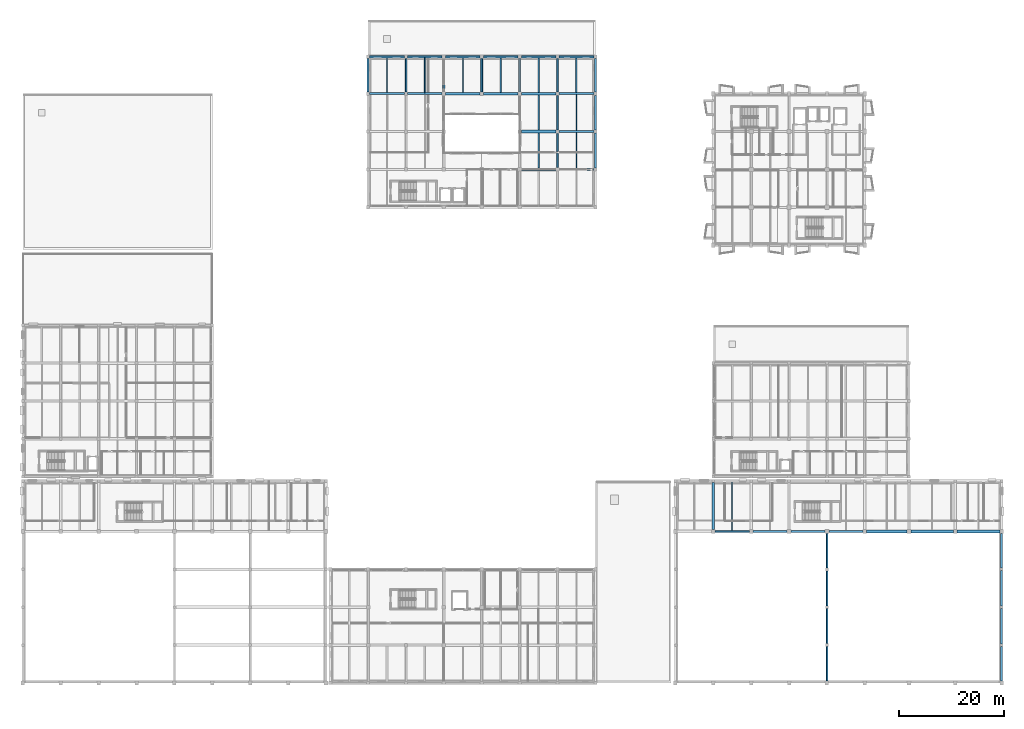
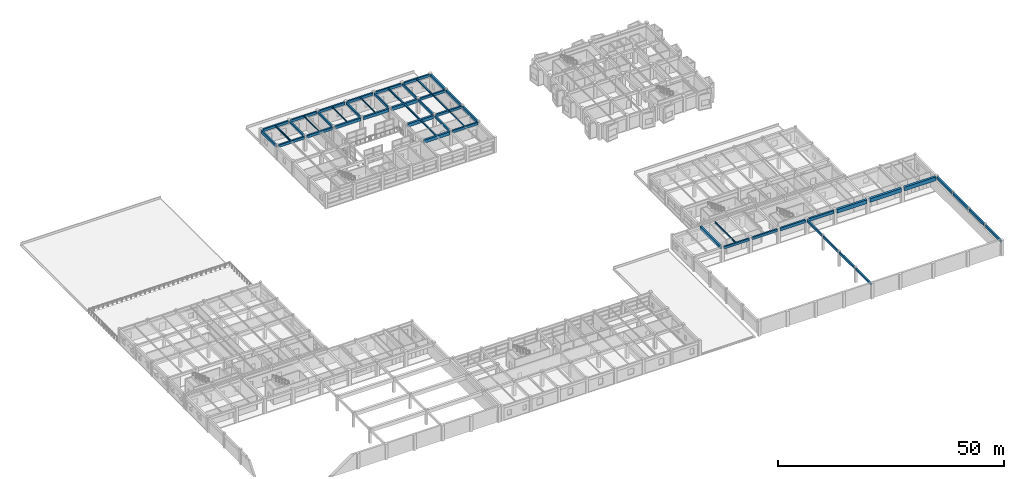
# One storey, part 31 of 67: 54 beams.
"""IFC4 building model written with IfcOpenShell, lengths in metres."""

from ifc_helpers import new_model, si_unit, direction, frame, origin, origin_2d, place, context, subcontext, project, spatial, rectangle, i_section, extrude, material, material_profile, profile_set, type_object, element, save


model = new_model("IFC4")

# Units and contexts
model_context = context("Model", 3, precision=1e-05, world=origin(), true_north=direction((0.0, 1.0)))
body_context = subcontext(model_context, "Body", "Model", "MODEL_VIEW")
ifc_project = project(units=[si_unit("LENGTHUNIT", "METRE"), si_unit("AREAUNIT", "SQUARE_METRE"), si_unit("VOLUMEUNIT", "CUBIC_METRE"), si_unit("PLANEANGLEUNIT", "RADIAN"), si_unit("MASSUNIT", "GRAM", prefix="KILO")], contexts=[model_context])

# Site, building, storey
site_placement = place(None, origin())
site = spatial("IfcSite", under=ifc_project, at=site_placement, CompositionType="ELEMENT")
building_placement = place(site_placement, origin())
building = spatial("IfcBuilding", under=site, at=building_placement, Name="Bramveld Media Centre", CompositionType="ELEMENT")
storey_placement = place(building_placement, frame((0.0, 0.0, 5.39990234375)))
storey = spatial("IfcBuildingStorey", under=building, at=storey_placement, Name="L01", CompositionType="ELEMENT", Elevation=5.39990234375)

# Beams
ifc_material_1 = material(Name="Concrete C40/50", Category="concrete")
ifc_material_profile_1 = material_profile(ifc_material_1, rectangle(XDim=0.35009765625, YDim=0.60009765625, at=origin_2d()), Name="RC 350x600")
ifc_profile_set_1 = profile_set([ifc_material_profile_1], Name="Concrete C40/50")
beam_type_1 = type_object("IfcBeamType", Name="BM-INT-RC-350x600", PredefinedType="BEAM", material=ifc_profile_set_1)
beam_1_placement = place(storey_placement, frame((152.800048828125, 0.340087890625, 3.650146484375), z_axis=(0.0, 1.0, 0.0), x_axis=(-1.0, 0.0, 0.0)))
element("IfcBeam", 1, at=beam_1_placement, inside=storey, type_object=beam_type_1, Name="V1 L01 girder Y-68", PredefinedType="BEAM", context=body_context, shape_type="SweptSolid", body=[
    extrude(rectangle(XDim=0.35009765625, YDim=0.60009765625, at=origin_2d()), origin(), (0.0, 0.0, 1.0), 6.5849609375),
])
for number, where, z_axis, x_axis, name in (
    (2, (152.800048828125, 7.47509765625, 3.650146484375), (0.0, 1.0, 0.0), (-1.0, 0.0, 0.0), "V1 L01 girder Y-69"),
    (3, (152.800048828125, 14.675048828125, 3.650146484375), (0.0, 1.0, 0.0), (-1.0, 0.0, 0.0), "V1 L01 girder Y-70"),
):
    element("IfcBeam", number, at=place(storey_placement, frame(where, z_axis=z_axis, x_axis=x_axis)), inside=storey, type_object=beam_type_1, Name=name, PredefinedType="BEAM", context=body_context, shape_type="SweptSolid", body=[
        extrude(rectangle(XDim=0.35009765625, YDim=0.60009765625, at=origin_2d()), origin(), (0.0, 0.0, 1.0), 6.64990234375),
    ])
beam_2_placement = place(storey_placement, frame((152.800048828125, 21.875, 3.650146484375), z_axis=(0.0, 1.0, 0.0), x_axis=(-1.0, 0.0, 0.0)))
element("IfcBeam", 4, at=beam_2_placement, inside=storey, type_object=beam_type_1, Name="V1 L01 girder Y-71", PredefinedType="BEAM", context=body_context, shape_type="SweptSolid", body=[
    extrude(rectangle(XDim=0.35009765625, YDim=0.60009765625, at=origin_2d()), origin(), (0.0, 0.0, 1.0), 6.574951171875),
])
for number, where, z_axis, x_axis, name in (
    (5, (72.800048828125, 112.324951171875, 3.6201171875), (0.0, 1.0, 0.0), (-1.0, 0.0, 0.0), "V6 L01 girder Y-1028"),
    (6, (80.0, 112.324951171875, 3.6201171875), (0.0, 1.0, 0.0), (-1.0, 0.0, 0.0), "V6 L01 girder Y-1031"),
    (7, (87.199951171875, 112.324951171875, 3.6201171875), (0.0, 1.0, 0.0), (-1.0, 0.0, 0.0), "V6 L01 girder Y-1033"),
    (8, (94.39990234375, 112.324951171875, 3.6201171875), (0.0, 1.0, 0.0), (-1.0, 0.0, 0.0), "V6 L01 girder Y-1037"),
):
    element("IfcBeam", number, at=place(storey_placement, frame(where, z_axis=z_axis, x_axis=x_axis)), inside=storey, type_object=beam_type_1, Name=name, PredefinedType="BEAM", context=body_context, shape_type="SweptSolid", body=[
        extrude(rectangle(XDim=0.35009765625, YDim=0.60009765625, at=origin_2d()), origin(), (0.0, 0.0, 1.0), 6.364990234375),
    ])
for number, where, z_axis, x_axis, name in (
    (9, (101.60009765625, 97.925048828125, 3.6201171875), (0.0, 1.0, 0.0), (-1.0, 0.0, 0.0), "V6 L01 girder Y-1039"),
    (10, (101.60009765625, 105.125, 3.6201171875), (0.0, 1.0, 0.0), (-1.0, 0.0, 0.0), "V6 L01 girder Y-1040"),
):
    element("IfcBeam", number, at=place(storey_placement, frame(where, z_axis=z_axis, x_axis=x_axis)), inside=storey, type_object=beam_type_1, Name=name, PredefinedType="BEAM", context=body_context, shape_type="SweptSolid", body=[
        extrude(rectangle(XDim=0.35009765625, YDim=0.60009765625, at=origin_2d()), origin(), (0.0, 0.0, 1.0), 6.550048828125),
    ])
beam_3_placement = place(storey_placement, frame((101.60009765625, 112.324951171875, 3.6201171875), z_axis=(0.0, 1.0, 0.0), x_axis=(-1.0, 0.0, 0.0)))
element("IfcBeam", 11, at=beam_3_placement, inside=storey, type_object=beam_type_1, Name="V6 L01 girder Y-1041", PredefinedType="BEAM", context=body_context, shape_type="SweptSolid", body=[
    extrude(rectangle(XDim=0.35009765625, YDim=0.60009765625, at=origin_2d()), origin(), (0.0, 0.0, 1.0), 6.364990234375),
])
ifc_material_2 = material(Name="Concrete C40/50", Category="concrete")
ifc_material_profile_2 = material_profile(ifc_material_2, rectangle(XDim=0.35009765625, YDim=0.64990234375, at=origin_2d()), Name="RC 350x650")
ifc_profile_set_2 = profile_set([ifc_material_profile_2], Name="Concrete C40/50")
beam_type_2 = type_object("IfcBeamType", Name="BM-INT-RC-350x650", PredefinedType="BEAM", material=ifc_profile_set_2)
beam_4_placement = place(storey_placement, frame((131.550048828125, 28.800048828125, 3.614990234375), z_axis=(1.0, 0.0, 0.0), x_axis=(0.0, 1.0, 0.0)))
element("IfcBeam", 12, at=beam_4_placement, inside=storey, type_object=beam_type_2, Name="V1 L01 girder X-45", PredefinedType="BEAM", context=body_context, shape_type="SweptSolid", body=[
    extrude(rectangle(XDim=0.35009765625, YDim=0.64990234375, at=origin_2d()), origin(), (0.0, 0.0, 1.0), 6.5),
])
ifc_material_3 = material(Name="Concrete C40/50", Category="concrete")
ifc_material_profile_3 = material_profile(ifc_material_3, rectangle(XDim=0.39990234375, YDim=0.64990234375, at=origin_2d()), Name="RC 400x650")
ifc_profile_set_3 = profile_set([ifc_material_profile_3], Name="Concrete C40/50")
beam_type_3 = type_object("IfcBeamType", Name="BM-INT-RC-400x650", PredefinedType="BEAM", material=ifc_profile_set_3)
beam_5_placement = place(storey_placement, frame((138.75, 28.800048828125, 3.614990234375), z_axis=(1.0, 0.0, 0.0), x_axis=(0.0, 1.0, 0.0)))
element("IfcBeam", 13, at=beam_5_placement, inside=storey, type_object=beam_type_3, Name="V1 L01 girder X-46", PredefinedType="BEAM", context=body_context, shape_type="SweptSolid", body=[
    extrude(rectangle(XDim=0.39990234375, YDim=0.64990234375, at=origin_2d()), origin(), (0.0, 0.0, 1.0), 6.5),
])
for number, where, z_axis, x_axis, name in (
    (14, (101.925048828125, 97.60009765625, 3.59521484375), (1.0, 0.0, 0.0), (0.0, 1.0, 0.0), "V6 L01 girder X-1005"),
    (15, (101.925048828125, 104.800048828125, 3.59521484375), (1.0, 0.0, 0.0), (0.0, 1.0, 0.0), "V6 L01 girder X-1009"),
):
    element("IfcBeam", number, at=place(storey_placement, frame(where, z_axis=z_axis, x_axis=x_axis)), inside=storey, type_object=beam_type_3, Name=name, PredefinedType="BEAM", context=body_context, shape_type="SweptSolid", body=[
        extrude(rectangle(XDim=0.39990234375, YDim=0.64990234375, at=origin_2d()), origin(), (0.0, 0.0, 1.0), 6.56494140625),
    ])
beam_6_placement = place(storey_placement, frame((65.909912109375, 112.0, 3.59521484375), z_axis=(1.0, 0.0, 0.0), x_axis=(0.0, 1.0, 0.0)))
element("IfcBeam", 16, at=beam_6_placement, inside=storey, type_object=beam_type_3, Name="V6 L01 girder X-1010", PredefinedType="BEAM", context=body_context, shape_type="SweptSolid", body=[
    extrude(rectangle(XDim=0.39990234375, YDim=0.64990234375, at=origin_2d()), origin(), (0.0, 0.0, 1.0), 6.565185546875),
])
beam_7_placement = place(storey_placement, frame((101.925048828125, 112.0, 3.59521484375), z_axis=(1.0, 0.0, 0.0), x_axis=(0.0, 1.0, 0.0)))
element("IfcBeam", 17, at=beam_7_placement, inside=storey, type_object=beam_type_3, Name="V6 L01 girder X-1015", PredefinedType="BEAM", context=body_context, shape_type="SweptSolid", body=[
    extrude(rectangle(XDim=0.39990234375, YDim=0.64990234375, at=origin_2d()), origin(), (0.0, 0.0, 1.0), 6.56494140625),
])
ifc_material_4 = material(Name="Concrete C40/50", Category="concrete")
ifc_material_profile_4 = material_profile(ifc_material_4, rectangle(XDim=0.39990234375, YDim=0.699951171875, at=origin_2d()), Name="RC 400x700")
ifc_profile_set_4 = profile_set([ifc_material_profile_4], Name="Concrete C40/50")
beam_type_4 = type_object("IfcBeamType", Name="BM-INT-RC-400x700", PredefinedType="BEAM", material=ifc_profile_set_4)
beam_8_placement = place(storey_placement, frame((73.125, 112.0, 3.570068359375), z_axis=(1.0, 0.0, 0.0), x_axis=(0.0, 1.0, 0.0)))
element("IfcBeam", 18, at=beam_8_placement, inside=storey, type_object=beam_type_4, Name="V6 L01 girder X-1011", PredefinedType="BEAM", context=body_context, shape_type="SweptSolid", body=[
    extrude(rectangle(XDim=0.39990234375, YDim=0.699951171875, at=origin_2d()), origin(), (0.0, 0.0, 1.0), 6.550048828125),
])
ifc_material_5 = material(Name="Concrete C40/50", Category="concrete")
ifc_material_profile_5 = material_profile(ifc_material_5, rectangle(XDim=0.449951171875, YDim=0.75, at=origin_2d()), Name="RC 450x750")
ifc_profile_set_5 = profile_set([ifc_material_profile_5], Name="Concrete C40/50")
beam_type_5 = type_object("IfcBeamType", Name="BM-INT-RC-450x750", PredefinedType="BEAM", material=ifc_profile_set_5)
beam_9_placement = place(storey_placement, frame((145.949951171875, 28.800048828125, 3.565185546875), z_axis=(1.0, 0.0, 0.0), x_axis=(0.0, 1.0, 0.0)))
element("IfcBeam", 19, at=beam_9_placement, inside=storey, type_object=beam_type_5, Name="V1 L01 girder X-47", PredefinedType="BEAM", context=body_context, shape_type="SweptSolid", body=[
    extrude(rectangle(XDim=0.449951171875, YDim=0.75, at=origin_2d()), origin(), (0.0, 0.0, 1.0), 6.5),
])
beam_10_placement = place(storey_placement, frame((80.324951171875, 112.0, 3.545166015625), z_axis=(1.0, 0.0, 0.0), x_axis=(0.0, 1.0, 0.0)))
element("IfcBeam", 20, at=beam_10_placement, inside=storey, type_object=beam_type_5, Name="V6 L01 girder X-1012", PredefinedType="BEAM", context=body_context, shape_type="SweptSolid", body=[
    extrude(rectangle(XDim=0.449951171875, YDim=0.75, at=origin_2d()), origin(), (0.0, 0.0, 1.0), 6.550048828125),
])
ifc_material_6 = material(Name="Concrete C40/50", Category="concrete")
ifc_material_profile_6 = material_profile(ifc_material_6, rectangle(XDim=0.449951171875, YDim=0.800048828125, at=origin_2d()), Name="RC 450x800")
ifc_profile_set_6 = profile_set([ifc_material_profile_6], Name="Concrete C40/50")
beam_type_6 = type_object("IfcBeamType", Name="BM-INT-RC-450x800", PredefinedType="BEAM", material=ifc_profile_set_6)
beam_11_placement = place(storey_placement, frame((153.14990234375, 28.800048828125, 3.5400390625), z_axis=(1.0, 0.0, 0.0), x_axis=(0.0, 1.0, 0.0)))
element("IfcBeam", 21, at=beam_11_placement, inside=storey, type_object=beam_type_6, Name="V1 L01 girder X-48", PredefinedType="BEAM", context=body_context, shape_type="SweptSolid", body=[
    extrude(rectangle(XDim=0.449951171875, YDim=0.800048828125, at=origin_2d()), origin(), (0.0, 0.0, 1.0), 6.5),
])
beam_12_placement = place(storey_placement, frame((131.199951171875, 29.14990234375, 3.5400390625), z_axis=(0.0, 1.0, 0.0), x_axis=(-1.0, 0.0, 0.0)))
element("IfcBeam", 22, at=beam_12_placement, inside=storey, type_object=beam_type_6, Name="V1 L01 girder Y-65", PredefinedType="BEAM", context=body_context, shape_type="SweptSolid", body=[
    extrude(rectangle(XDim=0.449951171875, YDim=0.800048828125, at=origin_2d()), origin(), (0.0, 0.0, 1.0), 8.989990234375),
])
beam_13_placement = place(storey_placement, frame((87.52490234375, 112.0, 3.52001953125), z_axis=(1.0, 0.0, 0.0), x_axis=(0.0, 1.0, 0.0)))
element("IfcBeam", 23, at=beam_13_placement, inside=storey, type_object=beam_type_6, Name="V6 L01 girder X-1013", PredefinedType="BEAM", context=body_context, shape_type="SweptSolid", body=[
    extrude(rectangle(XDim=0.449951171875, YDim=0.800048828125, at=origin_2d()), origin(), (0.0, 0.0, 1.0), 6.550048828125),
])
ifc_material_7 = material(Name="Concrete C40/50", Category="concrete")
ifc_material_profile_7 = material_profile(ifc_material_7, rectangle(XDim=0.5, YDim=0.85009765625, at=origin_2d()), Name="RC 500x850")
ifc_profile_set_7 = profile_set([ifc_material_profile_7], Name="Concrete C40/50")
beam_type_7 = type_object("IfcBeamType", Name="BM-INT-RC-500x850", PredefinedType="BEAM", material=ifc_profile_set_7)
for number, where, z_axis, x_axis, name in (
    (24, (94.72509765625, 97.60009765625, 3.4951171875), (1.0, 0.0, 0.0), (0.0, 1.0, 0.0), "V6 L01 girder X-1004"),
    (25, (94.72509765625, 104.800048828125, 3.4951171875), (1.0, 0.0, 0.0), (0.0, 1.0, 0.0), "V6 L01 girder X-1008"),
    (26, (94.72509765625, 112.0, 3.4951171875), (1.0, 0.0, 0.0), (0.0, 1.0, 0.0), "V6 L01 girder X-1014"),
):
    element("IfcBeam", number, at=place(storey_placement, frame(where, z_axis=z_axis, x_axis=x_axis)), inside=storey, type_object=beam_type_7, Name=name, PredefinedType="BEAM", context=body_context, shape_type="SweptSolid", body=[
        extrude(rectangle(XDim=0.5, YDim=0.85009765625, at=origin_2d()), origin(), (0.0, 0.0, 1.0), 6.5498046875),
    ])
ifc_material_8 = material(Name="Concrete C40/50", Category="concrete")
ifc_material_profile_8 = material_profile(ifc_material_8, rectangle(XDim=0.60009765625, YDim=1.0, at=origin_2d()), Name="RC 600x1000")
ifc_profile_set_8 = profile_set([ifc_material_profile_8], Name="Concrete C40/50")
beam_type_8 = type_object("IfcBeamType", Name="BM-INT-RC-600x1000", PredefinedType="BEAM", material=ifc_profile_set_8)
beam_14_placement = place(storey_placement, frame((160.35009765625, 28.800048828125, 3.440185546875), z_axis=(1.0, 0.0, 0.0), x_axis=(0.0, 1.0, 0.0)))
element("IfcBeam", 27, at=beam_14_placement, inside=storey, type_object=beam_type_8, Name="V1 L01 girder X-49", PredefinedType="BEAM", context=body_context, shape_type="SweptSolid", body=[
    extrude(rectangle(XDim=0.60009765625, YDim=1.0, at=origin_2d()), origin(), (0.0, 0.0, 1.0), 7.699951171875),
])
beam_15_placement = place(storey_placement, frame((168.75, 28.800048828125, 3.440185546875), z_axis=(1.0, 0.0, 0.0), x_axis=(0.0, 1.0, 0.0)))
element("IfcBeam", 28, at=beam_15_placement, inside=storey, type_object=beam_type_8, Name="V1 L01 girder X-50", PredefinedType="BEAM", context=body_context, shape_type="SweptSolid", body=[
    extrude(rectangle(XDim=0.60009765625, YDim=1.0, at=origin_2d()), origin(), (0.0, 0.0, 1.0), 8.10009765625),
])
beam_16_placement = place(storey_placement, frame((177.550048828125, 28.800048828125, 3.440185546875), z_axis=(1.0, 0.0, 0.0), x_axis=(0.0, 1.0, 0.0)))
element("IfcBeam", 29, at=beam_16_placement, inside=storey, type_object=beam_type_8, Name="V1 L01 girder X-51", PredefinedType="BEAM", context=body_context, shape_type="SweptSolid", body=[
    extrude(rectangle(XDim=0.60009765625, YDim=1.0, at=origin_2d()), origin(), (0.0, 0.0, 1.0), 8.10986328125),
])
ifc_material_9 = material(Name="Steel S355J2", Category="steel")
ifc_material_profile_9 = material_profile(ifc_material_9, i_section(OverallWidth=0.179931640625, OverallDepth=0.1708984375, WebThickness=0.006103515625, FlangeThickness=0.009521484375, FilletRadius=0.014892578125, at=origin_2d()), Name="HEA 180")
ifc_profile_set_9 = profile_set([ifc_material_profile_9], Name="Steel S355J2")
beam_type_9 = type_object("IfcBeamType", Name="SBM-INT-HEA-180", PredefinedType="BEAM", material=ifc_profile_set_9)
beam_17_placement = place(storey_placement, frame((76.39990234375, 112.199951171875, 3.834716796875), z_axis=(0.0, 1.0, 0.0), x_axis=(-1.0, 0.0, 0.0)))
element("IfcBeam", 30, at=beam_17_placement, inside=storey, type_object=beam_type_9, Name="V6 L01 secondary floor joist 1052", PredefinedType="BEAM", context=body_context, shape_type="SweptSolid", body=[
    extrude(i_section(OverallWidth=0.179931640625, OverallDepth=0.1708984375, WebThickness=0.006103515625, FlangeThickness=0.009521484375, FilletRadius=0.014892578125, at=origin_2d()), origin(), (0.0, 0.0, 1.0), 6.610107421875),
])
ifc_material_10 = material(Name="Steel S355J2", Category="steel")
ifc_material_profile_10 = material_profile(ifc_material_10, i_section(OverallWidth=0.199951171875, OverallDepth=0.18994140625, WebThickness=0.006591796875, FlangeThickness=0.010009765625, FilletRadius=0.01806640625, at=origin_2d()), Name="HEA 200")
ifc_profile_set_10 = profile_set([ifc_material_profile_10], Name="Steel S355J2")
beam_type_10 = type_object("IfcBeamType", Name="SBM-INT-HEA-200", PredefinedType="BEAM", material=ifc_profile_set_10)
beam_18_placement = place(storey_placement, frame((83.60009765625, 112.22509765625, 3.8251953125), z_axis=(0.0, 1.0, 0.0), x_axis=(-1.0, 0.0, 0.0)))
element("IfcBeam", 31, at=beam_18_placement, inside=storey, type_object=beam_type_10, Name="V6 L01 secondary floor joist 1053", PredefinedType="BEAM", context=body_context, shape_type="SweptSolid", body=[
    extrude(i_section(OverallWidth=0.199951171875, OverallDepth=0.18994140625, WebThickness=0.006591796875, FlangeThickness=0.010009765625, FilletRadius=0.01806640625, at=origin_2d()), origin(), (0.0, 0.0, 1.0), 6.5849609375),
])
ifc_material_11 = material(Name="Steel S355J2", Category="steel")
ifc_material_profile_11 = material_profile(ifc_material_11, i_section(OverallWidth=0.239990234375, OverallDepth=0.22998046875, WebThickness=0.007568359375, FlangeThickness=0.011962890625, FilletRadius=0.02099609375, at=origin_2d()), Name="HEA 240")
ifc_profile_set_11 = profile_set([ifc_material_profile_11], Name="Steel S355J2")
beam_type_11 = type_object("IfcBeamType", Name="SBM-INT-HEA-240", PredefinedType="BEAM", material=ifc_profile_set_11)
beam_19_placement = place(storey_placement, frame((90.800048828125, 112.22509765625, 3.80517578125), z_axis=(0.0, 1.0, 0.0), x_axis=(-1.0, 0.0, 0.0)))
element("IfcBeam", 32, at=beam_19_placement, inside=storey, type_object=beam_type_11, Name="V6 L01 secondary floor joist 1055", PredefinedType="BEAM", context=body_context, shape_type="SweptSolid", body=[
    extrude(i_section(OverallWidth=0.239990234375, OverallDepth=0.22998046875, WebThickness=0.007568359375, FlangeThickness=0.011962890625, FilletRadius=0.02099609375, at=origin_2d()), origin(), (0.0, 0.0, 1.0), 6.5849609375),
])
ifc_material_12 = material(Name="Steel S355J2", Category="steel")
ifc_material_profile_12 = material_profile(ifc_material_12, i_section(OverallWidth=0.300048828125, OverallDepth=0.2900390625, WebThickness=0.008544921875, FlangeThickness=0.013916015625, FilletRadius=0.027099609375, at=origin_2d()), Name="HEA 300")
ifc_profile_set_12 = profile_set([ifc_material_profile_12], Name="Steel S355J2")
beam_type_12 = type_object("IfcBeamType", Name="SBM-INT-HEA-300", PredefinedType="BEAM", material=ifc_profile_set_12)
beam_20_placement = place(storey_placement, frame((98.0, 97.85009765625, 3.775146484375), z_axis=(0.0, 1.0, 0.0), x_axis=(-1.0, 0.0, 0.0)))
element("IfcBeam", 33, at=beam_20_placement, inside=storey, type_object=beam_type_12, Name="V6 L01 secondary floor joist 1057", PredefinedType="BEAM", context=body_context, shape_type="SweptSolid", body=[
    extrude(i_section(OverallWidth=0.300048828125, OverallDepth=0.2900390625, WebThickness=0.008544921875, FlangeThickness=0.013916015625, FilletRadius=0.027099609375, at=origin_2d()), origin(), (0.0, 0.0, 1.0), 6.699951171875),
])
ifc_material_13 = material(Name="Steel S355J2", Category="steel")
ifc_material_profile_13 = material_profile(ifc_material_13, i_section(OverallWidth=0.300048828125, OverallDepth=0.31005859375, WebThickness=0.009033203125, FlangeThickness=0.015380859375, FilletRadius=0.027099609375, at=origin_2d()), Name="HEA 320")
ifc_profile_set_13 = profile_set([ifc_material_profile_13], Name="Steel S355J2")
beam_type_13 = type_object("IfcBeamType", Name="SBM-INT-HEA-320", PredefinedType="BEAM", material=ifc_profile_set_13)
beam_21_placement = place(storey_placement, frame((98.0, 105.050048828125, 3.76513671875), z_axis=(0.0, 1.0, 0.0), x_axis=(-1.0, 0.0, 0.0)))
element("IfcBeam", 34, at=beam_21_placement, inside=storey, type_object=beam_type_13, Name="V6 L01 secondary floor joist 1058", PredefinedType="BEAM", context=body_context, shape_type="SweptSolid", body=[
    extrude(i_section(OverallWidth=0.300048828125, OverallDepth=0.31005859375, WebThickness=0.009033203125, FlangeThickness=0.015380859375, FilletRadius=0.027099609375, at=origin_2d()), origin(), (0.0, 0.0, 1.0), 6.699951171875),
])
ifc_material_14 = material(Name="Steel S355J2", Category="steel")
ifc_material_profile_14 = material_profile(ifc_material_14, i_section(OverallWidth=0.300048828125, OverallDepth=0.389892578125, WebThickness=0.010986328125, FlangeThickness=0.01904296875, FilletRadius=0.027099609375, at=origin_2d()), Name="HEA 400")
ifc_profile_set_14 = profile_set([ifc_material_profile_14], Name="Steel S355J2")
beam_type_14 = type_object("IfcBeamType", Name="SBM-INT-HEA-400", PredefinedType="BEAM", material=ifc_profile_set_14)
beam_22_placement = place(storey_placement, frame((98.0, 112.25, 3.72509765625), z_axis=(0.0, 1.0, 0.0), x_axis=(-1.0, 0.0, 0.0)))
element("IfcBeam", 35, at=beam_22_placement, inside=storey, type_object=beam_type_14, Name="V6 L01 secondary floor joist 1059", PredefinedType="BEAM", context=body_context, shape_type="SweptSolid", body=[
    extrude(i_section(OverallWidth=0.300048828125, OverallDepth=0.389892578125, WebThickness=0.010986328125, FlangeThickness=0.01904296875, FilletRadius=0.027099609375, at=origin_2d()), origin(), (0.0, 0.0, 1.0), 6.56005859375),
])
ifc_material_15 = material(Name="Steel S355J2", Category="steel")
ifc_material_profile_15 = material_profile(ifc_material_15, i_section(OverallWidth=0.219970703125, OverallDepth=0.219970703125, WebThickness=0.009521484375, FlangeThickness=0.01611328125, FilletRadius=0.01806640625, at=origin_2d()), Name="HEB 220")
ifc_profile_set_15 = profile_set([ifc_material_profile_15], Name="Steel S355J2")
beam_type_15 = type_object("IfcBeamType", Name="SBM-INT-HEB-220", PredefinedType="BEAM", material=ifc_profile_set_15)
beam_23_placement = place(storey_placement, frame((105.199951171875, 97.800048828125, 3.81005859375), z_axis=(0.0, 1.0, 0.0), x_axis=(-1.0, 0.0, 0.0)))
element("IfcBeam", 36, at=beam_23_placement, inside=storey, type_object=beam_type_15, Name="V6 L01 secondary floor joist 1061", PredefinedType="BEAM", context=body_context, shape_type="SweptSolid", body=[
    extrude(i_section(OverallWidth=0.219970703125, OverallDepth=0.219970703125, WebThickness=0.009521484375, FlangeThickness=0.01611328125, FilletRadius=0.01806640625, at=origin_2d()), origin(), (0.0, 0.0, 1.0), 6.800048828125),
])
ifc_material_16 = material(Name="Steel S355J2", Category="steel")
ifc_material_profile_16 = material_profile(ifc_material_16, i_section(OverallWidth=0.260009765625, OverallDepth=0.260009765625, WebThickness=0.010009765625, FlangeThickness=0.017578125, FilletRadius=0.02392578125, at=origin_2d()), Name="HEB 260")
ifc_profile_set_16 = profile_set([ifc_material_profile_16], Name="Steel S355J2")
beam_type_16 = type_object("IfcBeamType", Name="SBM-INT-HEB-260", PredefinedType="BEAM", material=ifc_profile_set_16)
beam_24_placement = place(storey_placement, frame((105.199951171875, 105.0, 3.7900390625), z_axis=(0.0, 1.0, 0.0), x_axis=(-1.0, 0.0, 0.0)))
element("IfcBeam", 37, at=beam_24_placement, inside=storey, type_object=beam_type_16, Name="V6 L01 secondary floor joist 1062", PredefinedType="BEAM", context=body_context, shape_type="SweptSolid", body=[
    extrude(i_section(OverallWidth=0.260009765625, OverallDepth=0.260009765625, WebThickness=0.010009765625, FlangeThickness=0.017578125, FilletRadius=0.02392578125, at=origin_2d()), origin(), (0.0, 0.0, 1.0), 6.800048828125),
])
ifc_material_17 = material(Name="Steel S355J2", Category="steel")
ifc_material_profile_17 = material_profile(ifc_material_17, i_section(OverallWidth=0.300048828125, OverallDepth=0.320068359375, WebThickness=0.011474609375, FlangeThickness=0.0205078125, FilletRadius=0.027099609375, at=origin_2d()), Name="HEB 320")
ifc_profile_set_17 = profile_set([ifc_material_profile_17], Name="Steel S355J2")
beam_type_17 = type_object("IfcBeamType", Name="SBM-INT-HEB-320", PredefinedType="BEAM", material=ifc_profile_set_17)
beam_25_placement = place(storey_placement, frame((105.199951171875, 112.199951171875, 3.760009765625), z_axis=(0.0, 1.0, 0.0), x_axis=(-1.0, 0.0, 0.0)))
element("IfcBeam", 38, at=beam_25_placement, inside=storey, type_object=beam_type_17, Name="V6 L01 secondary floor joist 1063", PredefinedType="BEAM", context=body_context, shape_type="SweptSolid", body=[
    extrude(i_section(OverallWidth=0.300048828125, OverallDepth=0.320068359375, WebThickness=0.011474609375, FlangeThickness=0.0205078125, FilletRadius=0.027099609375, at=origin_2d()), origin(), (0.0, 0.0, 1.0), 6.610107421875),
])
ifc_material_18 = material(Name="Steel S355J2", Category="steel")
ifc_material_profile_18 = material_profile(ifc_material_18, i_section(OverallWidth=0.199951171875, OverallDepth=0.5, WebThickness=0.01025390625, FlangeThickness=0.01611328125, FilletRadius=0.02099609375, at=origin_2d()), Name="IPE 500")
ifc_profile_set_18 = profile_set([ifc_material_profile_18], Name="Steel S355J2")
beam_type_18 = type_object("IfcBeamType", Name="SBM-INT-IPE-500", PredefinedType="BEAM", material=ifc_profile_set_18)
beam_26_placement = place(storey_placement, frame((134.800048828125, 28.97509765625, 3.690185546875), z_axis=(0.0, 1.0, 0.0), x_axis=(-1.0, 0.0, 0.0)))
element("IfcBeam", 39, at=beam_26_placement, inside=storey, type_object=beam_type_18, Name="V1 L01 secondary floor joist 81", PredefinedType="BEAM", context=body_context, shape_type="SweptSolid", body=[
    extrude(i_section(OverallWidth=0.199951171875, OverallDepth=0.5, WebThickness=0.01025390625, FlangeThickness=0.01611328125, FilletRadius=0.02099609375, at=origin_2d()), origin(), (0.0, 0.0, 1.0), 9.23486328125),
])
beam_27_placement = place(storey_placement, frame((69.199951171875, 112.199951171875, 3.670166015625), z_axis=(0.0, 1.0, 0.0), x_axis=(-1.0, 0.0, 0.0)))
element("IfcBeam", 40, at=beam_27_placement, inside=storey, type_object=beam_type_18, Name="V6 L01 secondary floor joist 1049", PredefinedType="BEAM", context=body_context, shape_type="SweptSolid", body=[
    extrude(i_section(OverallWidth=0.199951171875, OverallDepth=0.5, WebThickness=0.01025390625, FlangeThickness=0.01611328125, FilletRadius=0.02099609375, at=origin_2d()), origin(), (0.0, 0.0, 1.0), 6.610107421875),
])
ifc_material_19 = material(Name="Concrete C40/50", Category="concrete")
ifc_material_profile_19 = material_profile(ifc_material_19, rectangle(XDim=0.3798828125, YDim=0.679931640625, at=origin_2d()), Name="RC 380x680")
ifc_profile_set_19 = profile_set([ifc_material_profile_19], Name="Concrete C40/50")
beam_type_19 = type_object("IfcBeamType", Name="SPANDREL-EXT-RC-380x680", PredefinedType="SPANDREL", material=ifc_profile_set_19)
beam_28_placement = place(storey_placement, frame((65.909912109375, 119.0, 3.580078125), z_axis=(1.0, 0.0, 0.0), x_axis=(0.0, 1.0, 0.0)))
element("IfcBeam", 41, at=beam_28_placement, inside=storey, type_object=beam_type_19, Name="V6 L01 girder X-1016", PredefinedType="SPANDREL", context=body_context, shape_type="SweptSolid", body=[
    extrude(rectangle(XDim=0.3798828125, YDim=0.679931640625, at=origin_2d()), origin(), (0.0, 0.0, 1.0), 6.580078125),
])
for number, where, z_axis, x_axis, name in (
    (42, (73.110107421875, 119.0, 3.580078125), (1.0, 0.0, 0.0), (0.0, 1.0, 0.0), "V6 L01 girder X-1017"),
    (43, (80.31005859375, 119.0, 3.580078125), (1.0, 0.0, 0.0), (0.0, 1.0, 0.0), "V6 L01 girder X-1018"),
):
    element("IfcBeam", number, at=place(storey_placement, frame(where, z_axis=z_axis, x_axis=x_axis)), inside=storey, type_object=beam_type_19, Name=name, PredefinedType="SPANDREL", context=body_context, shape_type="SweptSolid", body=[
        extrude(rectangle(XDim=0.3798828125, YDim=0.679931640625, at=origin_2d()), origin(), (0.0, 0.0, 1.0), 6.579833984375),
    ])
for number, where, z_axis, x_axis, name in (
    (44, (87.510009765625, 119.0, 3.580078125), (1.0, 0.0, 0.0), (0.0, 1.0, 0.0), "V6 L01 girder X-1019"),
    (45, (94.7099609375, 119.0, 3.580078125), (1.0, 0.0, 0.0), (0.0, 1.0, 0.0), "V6 L01 girder X-1020"),
    (46, (101.909912109375, 119.0, 3.580078125), (1.0, 0.0, 0.0), (0.0, 1.0, 0.0), "V6 L01 girder X-1021"),
):
    element("IfcBeam", number, at=place(storey_placement, frame(where, z_axis=z_axis, x_axis=x_axis)), inside=storey, type_object=beam_type_19, Name=name, PredefinedType="SPANDREL", context=body_context, shape_type="SweptSolid", body=[
        extrude(rectangle(XDim=0.3798828125, YDim=0.679931640625, at=origin_2d()), origin(), (0.0, 0.0, 1.0), 6.580078125),
    ])
ifc_material_20 = material(Name="Concrete C40/50", Category="concrete")
ifc_material_profile_20 = material_profile(ifc_material_20, rectangle(XDim=0.419921875, YDim=0.719970703125, at=origin_2d()), Name="RC 420x720")
ifc_profile_set_20 = profile_set([ifc_material_profile_20], Name="Concrete C40/50")
beam_type_20 = type_object("IfcBeamType", Name="SPANDREL-EXT-RC-420x720", PredefinedType="SPANDREL", material=ifc_profile_set_20)
beam_29_placement = place(storey_placement, frame((186.0, 0.340087890625, 3.590087890625), z_axis=(0.0, 1.0, 0.0), x_axis=(-1.0, 0.0, 0.0)))
element("IfcBeam", 47, at=beam_29_placement, inside=storey, type_object=beam_type_20, Name="V1 L01 girder Y-75", PredefinedType="SPANDREL", context=body_context, shape_type="SweptSolid", body=[
    extrude(rectangle(XDim=0.419921875, YDim=0.719970703125, at=origin_2d()), origin(), (0.0, 0.0, 1.0), 6.599853515625),
])
beam_30_placement = place(storey_placement, frame((186.0, 7.4599609375, 3.590087890625), z_axis=(0.0, 1.0, 0.0), x_axis=(-1.0, 0.0, 0.0)))
element("IfcBeam", 48, at=beam_30_placement, inside=storey, type_object=beam_type_20, Name="V1 L01 girder Y-76", PredefinedType="SPANDREL", context=body_context, shape_type="SweptSolid", body=[
    extrude(rectangle(XDim=0.419921875, YDim=0.719970703125, at=origin_2d()), origin(), (0.0, 0.0, 1.0), 6.679931640625),
])
beam_31_placement = place(storey_placement, frame((186.0, 14.659912109375, 3.590087890625), z_axis=(0.0, 1.0, 0.0), x_axis=(-1.0, 0.0, 0.0)))
element("IfcBeam", 49, at=beam_31_placement, inside=storey, type_object=beam_type_20, Name="V1 L01 girder Y-77", PredefinedType="SPANDREL", context=body_context, shape_type="SweptSolid", body=[
    extrude(rectangle(XDim=0.419921875, YDim=0.719970703125, at=origin_2d()), origin(), (0.0, 0.0, 1.0), 6.68017578125),
])
beam_32_placement = place(storey_placement, frame((186.0, 21.860107421875, 3.590087890625), z_axis=(0.0, 1.0, 0.0), x_axis=(-1.0, 0.0, 0.0)))
element("IfcBeam", 50, at=beam_32_placement, inside=storey, type_object=beam_type_20, Name="V1 L01 girder Y-78", PredefinedType="SPANDREL", context=body_context, shape_type="SweptSolid", body=[
    extrude(rectangle(XDim=0.419921875, YDim=0.719970703125, at=origin_2d()), origin(), (0.0, 0.0, 1.0), 6.599853515625),
])
beam_33_placement = place(storey_placement, frame((65.60009765625, 112.31005859375, 3.56005859375), z_axis=(0.0, 1.0, 0.0), x_axis=(-1.0, 0.0, 0.0)))
element("IfcBeam", 51, at=beam_33_placement, inside=storey, type_object=beam_type_20, Name="V6 L01 girder Y-1025", PredefinedType="SPANDREL", context=body_context, shape_type="SweptSolid", body=[
    extrude(rectangle(XDim=0.419921875, YDim=0.719970703125, at=origin_2d()), origin(), (0.0, 0.0, 1.0), 6.3798828125),
])
beam_34_placement = place(storey_placement, frame((108.800048828125, 97.909912109375, 3.56005859375), z_axis=(0.0, 1.0, 0.0), x_axis=(-1.0, 0.0, 0.0)))
element("IfcBeam", 52, at=beam_34_placement, inside=storey, type_object=beam_type_20, Name="V6 L01 girder Y-1043", PredefinedType="SPANDREL", context=body_context, shape_type="SweptSolid", body=[
    extrude(rectangle(XDim=0.419921875, YDim=0.719970703125, at=origin_2d()), origin(), (0.0, 0.0, 1.0), 6.580078125),
])
beam_35_placement = place(storey_placement, frame((108.800048828125, 105.110107421875, 3.56005859375), z_axis=(0.0, 1.0, 0.0), x_axis=(-1.0, 0.0, 0.0)))
element("IfcBeam", 53, at=beam_35_placement, inside=storey, type_object=beam_type_20, Name="V6 L01 girder Y-1044", PredefinedType="SPANDREL", context=body_context, shape_type="SweptSolid", body=[
    extrude(rectangle(XDim=0.419921875, YDim=0.719970703125, at=origin_2d()), origin(), (0.0, 0.0, 1.0), 6.579833984375),
])
beam_36_placement = place(storey_placement, frame((108.800048828125, 112.31005859375, 3.56005859375), z_axis=(0.0, 1.0, 0.0), x_axis=(-1.0, 0.0, 0.0)))
element("IfcBeam", 54, at=beam_36_placement, inside=storey, type_object=beam_type_20, Name="V6 L01 girder Y-1045", PredefinedType="SPANDREL", context=body_context, shape_type="SweptSolid", body=[
    extrude(rectangle(XDim=0.419921875, YDim=0.719970703125, at=origin_2d()), origin(), (0.0, 0.0, 1.0), 6.3798828125),
])

save(model, "model.ifc")
